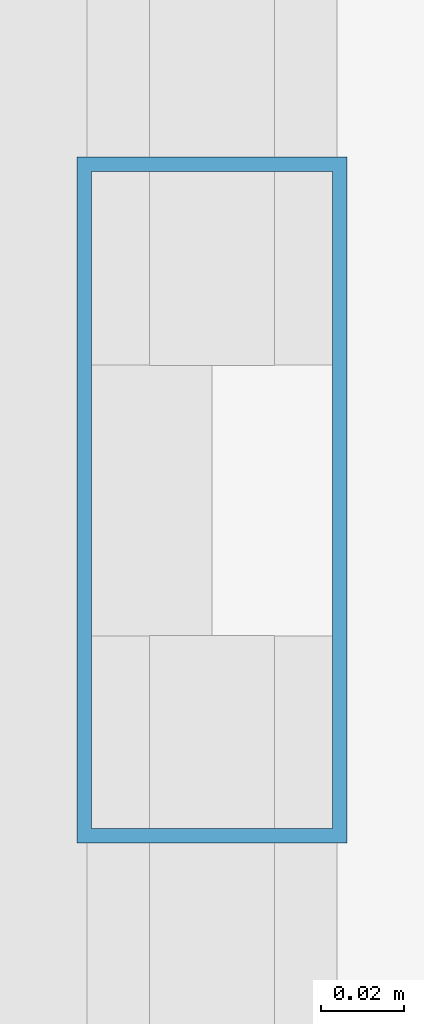
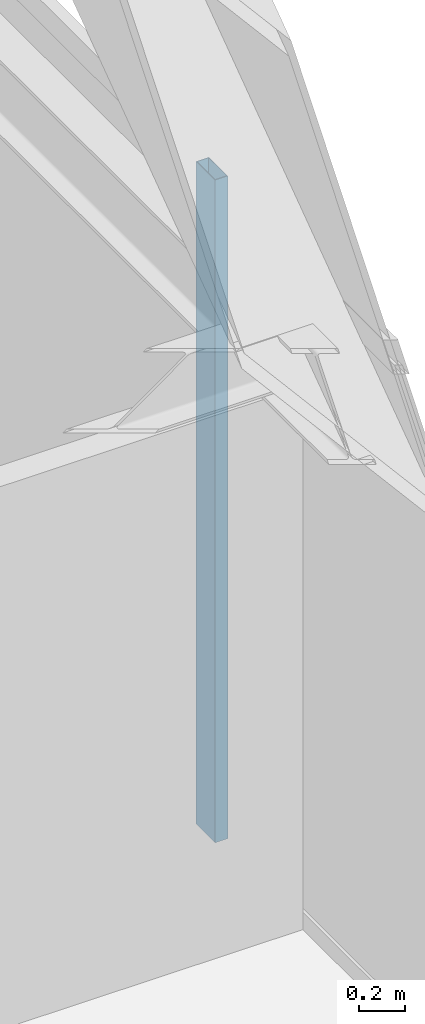
# One storey, part 18 of 34: 1 member, 1 element without a shape of its own.
"""IFC4 building model written with IfcOpenShell, lengths in metres."""

from ifc_helpers import new_model, si_unit, direction, frame, origin, origin_2d, place, context, subcontext, project, spatial, hollow_rectangle, extrude, source, transform, mapped, material, layer, layer_set, material_profile, profile_set, type_object, type_shapes, element, aggregate, save


model = new_model("IFC4")

# Units and contexts
model_context = context("Model", 3, precision=1e-05, world=origin(), true_north=direction((0.0, 1.0)))
body_context = subcontext(model_context, "Body", "Model", "MODEL_VIEW")
ifc_project = project(units=[si_unit("LENGTHUNIT", "METRE"), si_unit("AREAUNIT", "SQUARE_METRE"), si_unit("VOLUMEUNIT", "CUBIC_METRE"), si_unit("PLANEANGLEUNIT", "RADIAN"), si_unit("MASSUNIT", "GRAM", prefix="KILO")], contexts=[model_context])

# Site, building, storey
site_placement = place(None, origin())
site = spatial("IfcSite", under=ifc_project, at=site_placement, CompositionType="ELEMENT")
building_placement = place(site_placement, origin())
building = spatial("IfcBuilding", under=site, at=building_placement, Name="Varnel Quay Broadcast Tower", CompositionType="ELEMENT")
storey_placement = place(building_placement, frame((0.0, 0.0, 176.199951171875)))
storey = spatial("IfcBuildingStorey", under=building, at=storey_placement, Name="L43", CompositionType="ELEMENT", Elevation=176.199951171875)

# Curtain wall, member
ifc_material = material(Name="Anodised Bronze Aluminium 6063-T6", Category="aluminium")
ifc_layer = layer(ifc_material, 0.18994140625, Name="Anodised Bronze Aluminium 6063-T6")
ifc_layer_set = layer_set([ifc_layer], Name="Anodised Bronze Aluminium 6063-T6")
curtain_wall_type = type_object("IfcCurtainWallType", Name="CW_UpperTower", PredefinedType="NOTDEFINED", material=ifc_layer_set)
curtain_wall_placement = place(storey_placement, origin())
curtain_wall = element("IfcCurtainWall", 1, at=curtain_wall_placement, inside=storey, type_object=curtain_wall_type, Name="L43 East Unitised Curtain Wall", PredefinedType="NOTDEFINED")
ifc_material_profile = material_profile(ifc_material, hollow_rectangle(XDim=0.06494140625, YDim=0.1650390625, WallThickness=0.00341796875, at=origin_2d()), Name="ALU65X165X3.5")
ifc_profile_set = profile_set([ifc_material_profile], Name="Anodised Bronze Aluminium 6063-T6")
member_type = type_object("IfcMemberType", Name="Mull_CWS-03", PredefinedType="MULLION", material=ifc_profile_set)
shared_shape = source(origin(), body_context, "Body", "SweptSolid", [
    extrude(hollow_rectangle(XDim=0.06494140625, YDim=0.1650390625, WallThickness=0.00341796875, at=origin_2d()), origin(), (0.0, 0.0, 1.0), 3.550048828125),
])
type_shapes(member_type, [shared_shape])
member_placement = place(storey_placement, frame((60.85009765625, 21.60009765625, 0.0), z_axis=(0.0, 0.0, 1.0), x_axis=(-1.0, 0.0, 0.0)))
member = element("IfcMember", 2, at=member_placement, type_object=member_type, Name="CWS-03 mullion 2", PredefinedType="MULLION", context=body_context, shape_type="MappedRepresentation", body=[
    mapped(shared_shape, transform((0.0, 0.0, 0.0), x_axis=(1.0, 0.0, 0.0), y_axis=(0.0, 1.0, 0.0), z_axis=(0.0, 0.0, 1.0), scale=1.0)),
])
aggregate(curtain_wall, [member])

save(model, "model.ifc")
